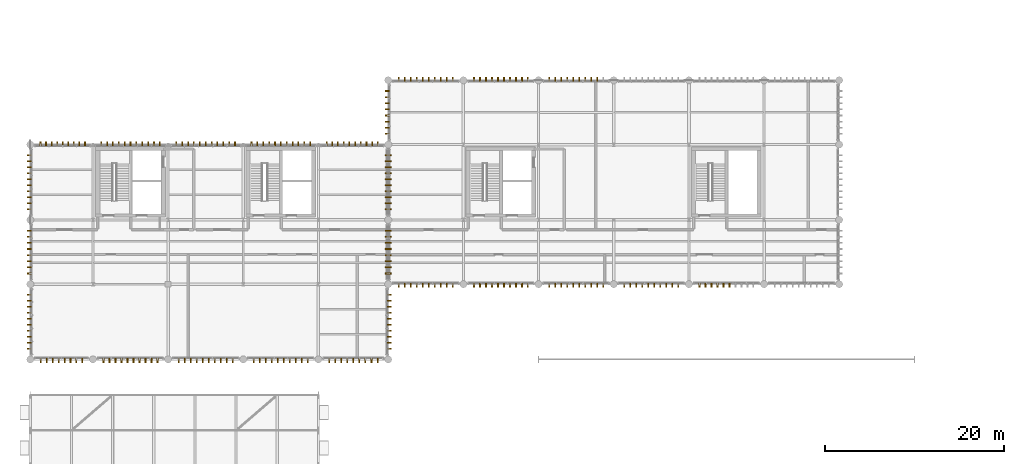
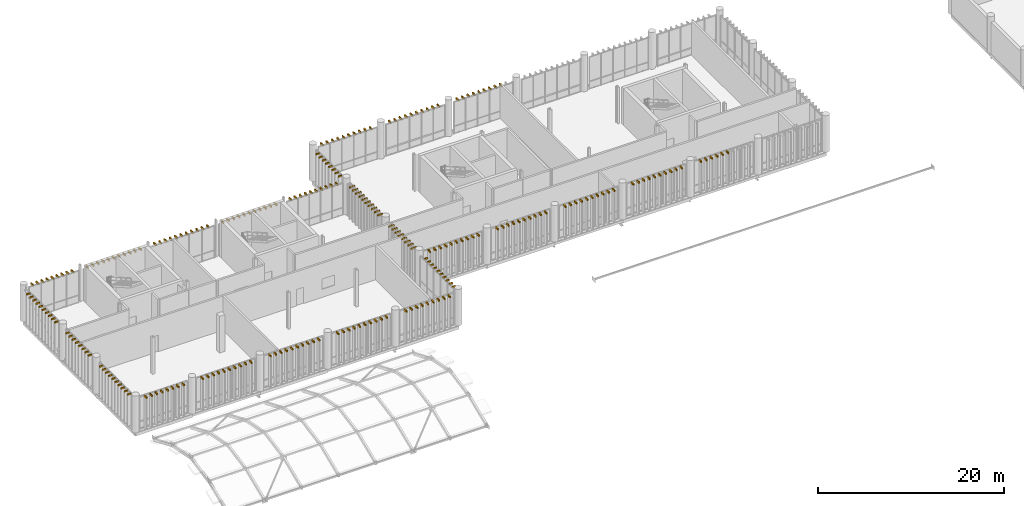
# One storey, part 92 of 94: 256 shading devices.
"""IFC4 building model written with IfcOpenShell, lengths in metres."""

from ifc_helpers import new_model, si_unit, direction, frame, origin_with_axes, origin_2d_with_axis, place, context, subcontext, project, spatial, rectangle, extrude, material, type_object, element, save


model = new_model("IFC4")

# Units and contexts
model_context = context("Model", 3, precision=1e-05, world=origin_with_axes(), true_north=direction((0.0, 1.0)))
body_context = subcontext(model_context, "Body", "Model", "MODEL_VIEW")
ifc_project = project(units=[si_unit("LENGTHUNIT", "METRE"), si_unit("AREAUNIT", "SQUARE_METRE"), si_unit("VOLUMEUNIT", "CUBIC_METRE"), si_unit("PLANEANGLEUNIT", "RADIAN"), si_unit("MASSUNIT", "GRAM", prefix="KILO"), si_unit("THERMODYNAMICTEMPERATUREUNIT", "KELVIN")], contexts=[model_context])

# Site, building, storey
site_placement = place(None, origin_with_axes())
site = spatial("IfcSite", under=ifc_project, at=site_placement, CompositionType="ELEMENT")
building_placement = place(site_placement, origin_with_axes())
building = spatial("IfcBuilding", under=site, at=building_placement, Name="Montbau Bow Law Courts", CompositionType="ELEMENT")
storey_placement = place(building_placement, frame((0.0, 0.0, 15.6), z_axis=(0.0, 0.0, 1.0), x_axis=(1.0, 0.0, 0.0)))
storey = spatial("IfcBuildingStorey", under=building, at=storey_placement, Name="L03", CompositionType="ELEMENT", Elevation=15.6)

# Shading devices
ifc_material_1 = material(Name="Freeze-Thaw Glazed Cream Ceramic Vertical Louvre", Category="masonry")
shading_device_type_1 = type_object("IfcShadingDeviceType", Name="SH-LVR-CRM", PredefinedType="USERDEFINED", material=ifc_material_1)
for number, where, z_axis, x_axis, name in (
    (1, (47.985, 38.89, 19.64), (0.0, 0.0, 1.0), (0.0, -1.0, 0.0), "LVR-L03-1559:shd_1559"),
    (2, (48.655, 38.89, 19.64), (0.0, 0.0, 1.0), (0.0, -1.0, 0.0), "LVR-L03-1560:shd_1560"),
    (3, (49.325, 38.89, 19.64), (0.0, 0.0, 1.0), (0.0, -1.0, 0.0), "LVR-L03-1561:shd_1561"),
    (4, (49.995, 38.89, 19.64), (0.0, 0.0, 1.0), (0.0, -1.0, 0.0), "LVR-L03-1562:shd_1562"),
    (5, (50.665, 38.89, 19.64), (0.0, 0.0, 1.0), (0.0, -1.0, 0.0), "LVR-L03-1563:shd_1563"),
    (6, (51.335, 38.89, 19.64), (0.0, 0.0, 1.0), (0.0, -1.0, 0.0), "LVR-L03-1564:shd_1564"),
    (7, (52.005, 38.89, 19.64), (0.0, 0.0, 1.0), (0.0, -1.0, 0.0), "LVR-L03-1565:shd_1565"),
    (8, (52.675, 38.89, 19.64), (0.0, 0.0, 1.0), (0.0, -1.0, 0.0), "LVR-L03-1566:shd_1566"),
    (9, (53.345, 38.89, 19.64), (0.0, 0.0, 1.0), (0.0, -1.0, 0.0), "LVR-L03-1567:shd_1567"),
    (10, (54.015, 38.89, 19.64), (0.0, 0.0, 1.0), (0.0, -1.0, 0.0), "LVR-L03-1568:shd_1568"),
    (11, (56.385, 38.89, 19.64), (0.0, 0.0, 1.0), (0.0, -1.0, 0.0), "LVR-L03-1569:shd_1569"),
    (12, (57.055, 38.89, 19.64), (0.0, 0.0, 1.0), (0.0, -1.0, 0.0), "LVR-L03-1570:shd_1570"),
    (13, (57.725, 38.89, 19.64), (0.0, 0.0, 1.0), (0.0, -1.0, 0.0), "LVR-L03-1571:shd_1571"),
    (14, (58.395, 38.89, 19.64), (0.0, 0.0, 1.0), (0.0, -1.0, 0.0), "LVR-L03-1572:shd_1572"),
    (15, (59.065, 38.89, 19.64), (0.0, 0.0, 1.0), (0.0, -1.0, 0.0), "LVR-L03-1573:shd_1573"),
    (16, (59.735, 38.89, 19.64), (0.0, 0.0, 1.0), (0.0, -1.0, 0.0), "LVR-L03-1574:shd_1574"),
    (17, (60.405, 38.89, 19.64), (0.0, 0.0, 1.0), (0.0, -1.0, 0.0), "LVR-L03-1575:shd_1575"),
    (18, (61.075, 38.89, 19.64), (0.0, 0.0, 1.0), (0.0, -1.0, 0.0), "LVR-L03-1576:shd_1576"),
    (19, (61.745, 38.89, 19.64), (0.0, 0.0, 1.0), (0.0, -1.0, 0.0), "LVR-L03-1577:shd_1577"),
    (20, (62.415, 38.89, 19.64), (0.0, 0.0, 1.0), (0.0, -1.0, 0.0), "LVR-L03-1578:shd_1578"),
    (21, (64.785, 38.89, 19.64), (0.0, 0.0, 1.0), (0.0, -1.0, 0.0), "LVR-L03-1579:shd_1579"),
    (22, (65.455, 38.89, 19.64), (0.0, 0.0, 1.0), (0.0, -1.0, 0.0), "LVR-L03-1580:shd_1580"),
    (23, (66.125, 38.89, 19.64), (0.0, 0.0, 1.0), (0.0, -1.0, 0.0), "LVR-L03-1581:shd_1581"),
    (24, (66.795, 38.89, 19.64), (0.0, 0.0, 1.0), (0.0, -1.0, 0.0), "LVR-L03-1582:shd_1582"),
    (25, (67.465, 38.89, 19.64), (0.0, 0.0, 1.0), (0.0, -1.0, 0.0), "LVR-L03-1583:shd_1583"),
    (26, (68.135, 38.89, 19.64), (0.0, 0.0, 1.0), (0.0, -1.0, 0.0), "LVR-L03-1584:shd_1584"),
    (27, (68.805, 38.89, 19.64), (0.0, 0.0, 1.0), (0.0, -1.0, 0.0), "LVR-L03-1585:shd_1585"),
    (28, (69.475, 38.89, 19.64), (0.0, 0.0, 1.0), (0.0, -1.0, 0.0), "LVR-L03-1586:shd_1586"),
    (29, (70.145, 38.89, 19.64), (0.0, 0.0, 1.0), (0.0, -1.0, 0.0), "LVR-L03-1587:shd_1587"),
    (30, (70.815, 38.89, 19.64), (0.0, 0.0, 1.0), (0.0, -1.0, 0.0), "LVR-L03-1588:shd_1588"),
    (31, (73.185, 38.89, 19.64), (0.0, 0.0, 1.0), (0.0, -1.0, 0.0), "LVR-L03-1589:shd_1589"),
    (32, (73.855, 38.89, 19.64), (0.0, 0.0, 1.0), (0.0, -1.0, 0.0), "LVR-L03-1590:shd_1590"),
    (33, (74.525, 38.89, 19.64), (0.0, 0.0, 1.0), (0.0, -1.0, 0.0), "LVR-L03-1591:shd_1591"),
    (34, (75.195, 38.89, 19.64), (0.0, 0.0, 1.0), (0.0, -1.0, 0.0), "LVR-L03-1592:shd_1592"),
    (35, (75.865, 38.89, 19.64), (0.0, 0.0, 1.0), (0.0, -1.0, 0.0), "LVR-L03-1593:shd_1593"),
    (36, (76.535, 38.89, 19.64), (0.0, 0.0, 1.0), (0.0, -1.0, 0.0), "LVR-L03-1594:shd_1594"),
    (37, (77.205, 38.89, 19.64), (0.0, 0.0, 1.0), (0.0, -1.0, 0.0), "LVR-L03-1595:shd_1595"),
    (38, (77.875, 38.89, 19.64), (0.0, 0.0, 1.0), (0.0, -1.0, 0.0), "LVR-L03-1596:shd_1596"),
    (39, (78.545, 38.89, 19.64), (0.0, 0.0, 1.0), (0.0, -1.0, 0.0), "LVR-L03-1597:shd_1597"),
    (40, (79.215, 38.89, 19.64), (0.0, 0.0, 1.0), (0.0, -1.0, 0.0), "LVR-L03-1598:shd_1598"),
    (41, (81.585, 38.89, 19.64), (0.0, 0.0, 1.0), (0.0, -1.0, 0.0), "LVR-L03-1599:shd_1599"),
    (42, (82.255, 38.89, 19.64), (0.0, 0.0, 1.0), (0.0, -1.0, 0.0), "LVR-L03-1600:shd_1600"),
    (43, (82.925, 38.89, 19.64), (0.0, 0.0, 1.0), (0.0, -1.0, 0.0), "LVR-L03-1601:shd_1601"),
    (44, (83.595, 38.89, 19.64), (0.0, 0.0, 1.0), (0.0, -1.0, 0.0), "LVR-L03-1602:shd_1602"),
    (45, (84.265, 38.89, 19.64), (0.0, 0.0, 1.0), (0.0, -1.0, 0.0), "LVR-L03-1603:shd_1603"),
    (46, (84.935, 38.89, 19.64), (0.0, 0.0, 1.0), (0.0, -1.0, 0.0), "LVR-L03-1604:shd_1604"),
    (47, (47.985, 61.91, 19.64), (0.0, 0.0, 1.0), (0.0, 1.0, 0.0), "LVR-L03-1619:shd_1619"),
    (48, (48.655, 61.91, 19.64), (0.0, 0.0, 1.0), (0.0, 1.0, 0.0), "LVR-L03-1620:shd_1620"),
    (49, (49.325, 61.91, 19.64), (0.0, 0.0, 1.0), (0.0, 1.0, 0.0), "LVR-L03-1621:shd_1621"),
    (50, (49.995, 61.91, 19.64), (0.0, 0.0, 1.0), (0.0, 1.0, 0.0), "LVR-L03-1622:shd_1622"),
    (51, (50.665, 61.91, 19.64), (0.0, 0.0, 1.0), (0.0, 1.0, 0.0), "LVR-L03-1623:shd_1623"),
    (52, (51.335, 61.91, 19.64), (0.0, 0.0, 1.0), (0.0, 1.0, 0.0), "LVR-L03-1624:shd_1624"),
    (53, (52.005, 61.91, 19.64), (0.0, 0.0, 1.0), (0.0, 1.0, 0.0), "LVR-L03-1625:shd_1625"),
    (54, (52.675, 61.91, 19.64), (0.0, 0.0, 1.0), (0.0, 1.0, 0.0), "LVR-L03-1626:shd_1626"),
    (55, (53.345, 61.91, 19.64), (0.0, 0.0, 1.0), (0.0, 1.0, 0.0), "LVR-L03-1627:shd_1627"),
    (56, (54.015, 61.91, 19.64), (0.0, 0.0, 1.0), (0.0, 1.0, 0.0), "LVR-L03-1628:shd_1628"),
    (57, (56.385, 61.91, 19.64), (0.0, 0.0, 1.0), (0.0, 1.0, 0.0), "LVR-L03-1629:shd_1629"),
    (58, (57.055, 61.91, 19.64), (0.0, 0.0, 1.0), (0.0, 1.0, 0.0), "LVR-L03-1630:shd_1630"),
    (59, (57.725, 61.91, 19.64), (0.0, 0.0, 1.0), (0.0, 1.0, 0.0), "LVR-L03-1631:shd_1631"),
    (60, (58.395, 61.91, 19.64), (0.0, 0.0, 1.0), (0.0, 1.0, 0.0), "LVR-L03-1632:shd_1632"),
    (61, (59.065, 61.91, 19.64), (0.0, 0.0, 1.0), (0.0, 1.0, 0.0), "LVR-L03-1633:shd_1633"),
    (62, (59.735, 61.91, 19.64), (0.0, 0.0, 1.0), (0.0, 1.0, 0.0), "LVR-L03-1634:shd_1634"),
    (63, (60.405, 61.91, 19.64), (0.0, 0.0, 1.0), (0.0, 1.0, 0.0), "LVR-L03-1635:shd_1635"),
    (64, (61.075, 61.91, 19.64), (0.0, 0.0, 1.0), (0.0, 1.0, 0.0), "LVR-L03-1636:shd_1636"),
    (65, (61.745, 61.91, 19.64), (0.0, 0.0, 1.0), (0.0, 1.0, 0.0), "LVR-L03-1637:shd_1637"),
    (66, (62.415, 61.91, 19.64), (0.0, 0.0, 1.0), (0.0, 1.0, 0.0), "LVR-L03-1638:shd_1638"),
    (67, (64.785, 61.91, 19.64), (0.0, 0.0, 1.0), (0.0, 1.0, 0.0), "LVR-L03-1639:shd_1639"),
    (68, (65.455, 61.91, 19.64), (0.0, 0.0, 1.0), (0.0, 1.0, 0.0), "LVR-L03-1640:shd_1640"),
    (69, (66.125, 61.91, 19.64), (0.0, 0.0, 1.0), (0.0, 1.0, 0.0), "LVR-L03-1641:shd_1641"),
    (70, (66.795, 61.91, 19.64), (0.0, 0.0, 1.0), (0.0, 1.0, 0.0), "LVR-L03-1642:shd_1642"),
    (71, (67.465, 61.91, 19.64), (0.0, 0.0, 1.0), (0.0, 1.0, 0.0), "LVR-L03-1643:shd_1643"),
    (72, (68.135, 61.91, 19.64), (0.0, 0.0, 1.0), (0.0, 1.0, 0.0), "LVR-L03-1644:shd_1644"),
    (73, (68.805, 61.91, 19.64), (0.0, 0.0, 1.0), (0.0, 1.0, 0.0), "LVR-L03-1645:shd_1645"),
    (74, (69.475, 61.91, 19.64), (0.0, 0.0, 1.0), (0.0, 1.0, 0.0), "LVR-L03-1646:shd_1646"),
    (75, (70.145, 61.91, 19.64), (0.0, 0.0, 1.0), (0.0, 1.0, 0.0), "LVR-L03-1647:shd_1647"),
    (76, (46.69, 40.201, 19.64), (0.0, 0.0, 1.0), (-1.0, 0.0, 0.0), "LVR-L03-1679:shd_1679"),
    (77, (46.69, 40.886, 19.64), (0.0, 0.0, 1.0), (-1.0, 0.0, 0.0), "LVR-L03-1680:shd_1680"),
    (78, (46.69, 41.572, 19.64), (0.0, 0.0, 1.0), (-1.0, 0.0, 0.0), "LVR-L03-1681:shd_1681"),
    (79, (46.69, 42.257, 19.64), (0.0, 0.0, 1.0), (-1.0, 0.0, 0.0), "LVR-L03-1682:shd_1682"),
    (80, (46.69, 42.943, 19.64), (0.0, 0.0, 1.0), (-1.0, 0.0, 0.0), "LVR-L03-1683:shd_1683"),
    (81, (46.69, 43.628, 19.64), (0.0, 0.0, 1.0), (-1.0, 0.0, 0.0), "LVR-L03-1684:shd_1684"),
    (82, (46.69, 44.314, 19.64), (0.0, 0.0, 1.0), (-1.0, 0.0, 0.0), "LVR-L03-1685:shd_1685"),
    (83, (46.69, 44.999, 19.64), (0.0, 0.0, 1.0), (-1.0, 0.0, 0.0), "LVR-L03-1686:shd_1686"),
    (84, (46.69, 47.385, 19.64), (0.0, 0.0, 1.0), (-1.0, 0.0, 0.0), "LVR-L03-1687:shd_1687"),
    (85, (46.69, 48.055, 19.64), (0.0, 0.0, 1.0), (-1.0, 0.0, 0.0), "LVR-L03-1688:shd_1688"),
    (86, (46.69, 48.725, 19.64), (0.0, 0.0, 1.0), (-1.0, 0.0, 0.0), "LVR-L03-1689:shd_1689"),
    (87, (46.69, 49.395, 19.64), (0.0, 0.0, 1.0), (-1.0, 0.0, 0.0), "LVR-L03-1690:shd_1690"),
    (88, (46.69, 50.065, 19.64), (0.0, 0.0, 1.0), (-1.0, 0.0, 0.0), "LVR-L03-1691:shd_1691"),
    (89, (46.69, 50.735, 19.64), (0.0, 0.0, 1.0), (-1.0, 0.0, 0.0), "LVR-L03-1692:shd_1692"),
    (90, (46.69, 51.405, 19.64), (0.0, 0.0, 1.0), (-1.0, 0.0, 0.0), "LVR-L03-1693:shd_1693"),
    (91, (46.69, 52.075, 19.64), (0.0, 0.0, 1.0), (-1.0, 0.0, 0.0), "LVR-L03-1694:shd_1694"),
    (92, (46.69, 52.745, 19.64), (0.0, 0.0, 1.0), (-1.0, 0.0, 0.0), "LVR-L03-1695:shd_1695"),
    (93, (46.69, 53.415, 19.64), (0.0, 0.0, 1.0), (-1.0, 0.0, 0.0), "LVR-L03-1696:shd_1696"),
    (94, (46.69, 55.801, 19.64), (0.0, 0.0, 1.0), (-1.0, 0.0, 0.0), "LVR-L03-1697:shd_1697"),
    (95, (46.69, 56.486, 19.64), (0.0, 0.0, 1.0), (-1.0, 0.0, 0.0), "LVR-L03-1698:shd_1698"),
    (96, (46.69, 57.172, 19.64), (0.0, 0.0, 1.0), (-1.0, 0.0, 0.0), "LVR-L03-1699:shd_1699"),
    (97, (46.69, 57.857, 19.64), (0.0, 0.0, 1.0), (-1.0, 0.0, 0.0), "LVR-L03-1700:shd_1700"),
    (98, (46.69, 58.543, 19.64), (0.0, 0.0, 1.0), (-1.0, 0.0, 0.0), "LVR-L03-1701:shd_1701"),
    (99, (46.69, 59.228, 19.64), (0.0, 0.0, 1.0), (-1.0, 0.0, 0.0), "LVR-L03-1702:shd_1702"),
    (100, (46.69, 59.914, 19.64), (0.0, 0.0, 1.0), (-1.0, 0.0, 0.0), "LVR-L03-1703:shd_1703"),
    (101, (46.69, 60.599, 19.64), (0.0, 0.0, 1.0), (-1.0, 0.0, 0.0), "LVR-L03-1704:shd_1704"),
):
    element("IfcShadingDevice", number, at=place(None, frame(where, z_axis=z_axis, x_axis=x_axis)), inside=storey, type_object=shading_device_type_1, Name=name, ObjectType="LOUVRE", PredefinedType="USERDEFINED", context=body_context, shape_type="SweptSolid", body=[
        extrude(rectangle(XDim=0.48, YDim=0.12, at=origin_2d_with_axis()), origin_with_axes(), (0.0, 0.0, 1.0), 0.18),
    ])
ifc_material_2 = material(Name="Freeze-Thaw Glazed Terracotta-Red Ceramic Vertical Louvre", Category="masonry")
shading_device_type_2 = type_object("IfcShadingDeviceType", Name="SH-LVR-RED", PredefinedType="USERDEFINED", material=ifc_material_2)
for number, where, z_axis, x_axis, name in (
    (102, (7.978, 30.49, 19.64), (0.0, 0.0, 1.0), (0.0, -1.0, 0.0), "LVR-L03-0453:shd_0453"),
    (103, (8.642, 30.49, 19.64), (0.0, 0.0, 1.0), (0.0, -1.0, 0.0), "LVR-L03-0454:shd_0454"),
    (104, (9.305, 30.49, 19.64), (0.0, 0.0, 1.0), (0.0, -1.0, 0.0), "LVR-L03-0455:shd_0455"),
    (105, (9.968, 30.49, 19.64), (0.0, 0.0, 1.0), (0.0, -1.0, 0.0), "LVR-L03-0456:shd_0456"),
    (106, (10.632, 30.49, 19.64), (0.0, 0.0, 1.0), (0.0, -1.0, 0.0), "LVR-L03-0457:shd_0457"),
    (107, (11.295, 30.49, 19.64), (0.0, 0.0, 1.0), (0.0, -1.0, 0.0), "LVR-L03-0458:shd_0458"),
    (108, (11.958, 30.49, 19.64), (0.0, 0.0, 1.0), (0.0, -1.0, 0.0), "LVR-L03-0459:shd_0459"),
    (109, (12.622, 30.49, 19.64), (0.0, 0.0, 1.0), (0.0, -1.0, 0.0), "LVR-L03-0460:shd_0460"),
    (110, (14.985, 30.49, 19.64), (0.0, 0.0, 1.0), (0.0, -1.0, 0.0), "LVR-L03-0461:shd_0461"),
    (111, (15.655, 30.49, 19.64), (0.0, 0.0, 1.0), (0.0, -1.0, 0.0), "LVR-L03-0462:shd_0462"),
    (112, (16.325, 30.49, 19.64), (0.0, 0.0, 1.0), (0.0, -1.0, 0.0), "LVR-L03-0463:shd_0463"),
    (113, (16.995, 30.49, 19.64), (0.0, 0.0, 1.0), (0.0, -1.0, 0.0), "LVR-L03-0464:shd_0464"),
    (114, (17.665, 30.49, 19.64), (0.0, 0.0, 1.0), (0.0, -1.0, 0.0), "LVR-L03-0465:shd_0465"),
    (115, (18.335, 30.49, 19.64), (0.0, 0.0, 1.0), (0.0, -1.0, 0.0), "LVR-L03-0466:shd_0466"),
    (116, (19.005, 30.49, 19.64), (0.0, 0.0, 1.0), (0.0, -1.0, 0.0), "LVR-L03-0467:shd_0467"),
    (117, (19.675, 30.49, 19.64), (0.0, 0.0, 1.0), (0.0, -1.0, 0.0), "LVR-L03-0468:shd_0468"),
    (118, (20.345, 30.49, 19.64), (0.0, 0.0, 1.0), (0.0, -1.0, 0.0), "LVR-L03-0469:shd_0469"),
    (119, (21.015, 30.49, 19.64), (0.0, 0.0, 1.0), (0.0, -1.0, 0.0), "LVR-L03-0470:shd_0470"),
    (120, (23.385, 30.49, 19.64), (0.0, 0.0, 1.0), (0.0, -1.0, 0.0), "LVR-L03-0471:shd_0471"),
    (121, (24.055, 30.49, 19.64), (0.0, 0.0, 1.0), (0.0, -1.0, 0.0), "LVR-L03-0472:shd_0472"),
    (122, (24.725, 30.49, 19.64), (0.0, 0.0, 1.0), (0.0, -1.0, 0.0), "LVR-L03-0473:shd_0473"),
    (123, (25.395, 30.49, 19.64), (0.0, 0.0, 1.0), (0.0, -1.0, 0.0), "LVR-L03-0474:shd_0474"),
    (124, (26.065, 30.49, 19.64), (0.0, 0.0, 1.0), (0.0, -1.0, 0.0), "LVR-L03-0475:shd_0475"),
    (125, (26.735, 30.49, 19.64), (0.0, 0.0, 1.0), (0.0, -1.0, 0.0), "LVR-L03-0476:shd_0476"),
    (126, (27.405, 30.49, 19.64), (0.0, 0.0, 1.0), (0.0, -1.0, 0.0), "LVR-L03-0477:shd_0477"),
    (127, (28.075, 30.49, 19.64), (0.0, 0.0, 1.0), (0.0, -1.0, 0.0), "LVR-L03-0478:shd_0478"),
    (128, (28.745, 30.49, 19.64), (0.0, 0.0, 1.0), (0.0, -1.0, 0.0), "LVR-L03-0479:shd_0479"),
    (129, (29.415, 30.49, 19.64), (0.0, 0.0, 1.0), (0.0, -1.0, 0.0), "LVR-L03-0480:shd_0480"),
    (130, (31.785, 30.49, 19.64), (0.0, 0.0, 1.0), (0.0, -1.0, 0.0), "LVR-L03-0481:shd_0481"),
    (131, (32.455, 30.49, 19.64), (0.0, 0.0, 1.0), (0.0, -1.0, 0.0), "LVR-L03-0482:shd_0482"),
    (132, (33.125, 30.49, 19.64), (0.0, 0.0, 1.0), (0.0, -1.0, 0.0), "LVR-L03-0483:shd_0483"),
    (133, (33.795, 30.49, 19.64), (0.0, 0.0, 1.0), (0.0, -1.0, 0.0), "LVR-L03-0484:shd_0484"),
    (134, (34.465, 30.49, 19.64), (0.0, 0.0, 1.0), (0.0, -1.0, 0.0), "LVR-L03-0485:shd_0485"),
    (135, (35.135, 30.49, 19.64), (0.0, 0.0, 1.0), (0.0, -1.0, 0.0), "LVR-L03-0486:shd_0486"),
    (136, (35.805, 30.49, 19.64), (0.0, 0.0, 1.0), (0.0, -1.0, 0.0), "LVR-L03-0487:shd_0487"),
    (137, (36.475, 30.49, 19.64), (0.0, 0.0, 1.0), (0.0, -1.0, 0.0), "LVR-L03-0488:shd_0488"),
    (138, (37.145, 30.49, 19.64), (0.0, 0.0, 1.0), (0.0, -1.0, 0.0), "LVR-L03-0489:shd_0489"),
    (139, (37.815, 30.49, 19.64), (0.0, 0.0, 1.0), (0.0, -1.0, 0.0), "LVR-L03-0490:shd_0490"),
    (140, (40.192, 30.49, 19.64), (0.0, 0.0, 1.0), (0.0, -1.0, 0.0), "LVR-L03-0491:shd_0491"),
    (141, (40.869, 30.49, 19.64), (0.0, 0.0, 1.0), (0.0, -1.0, 0.0), "LVR-L03-0492:shd_0492"),
    (142, (41.546, 30.49, 19.64), (0.0, 0.0, 1.0), (0.0, -1.0, 0.0), "LVR-L03-0493:shd_0493"),
    (143, (42.223, 30.49, 19.64), (0.0, 0.0, 1.0), (0.0, -1.0, 0.0), "LVR-L03-0494:shd_0494"),
    (144, (42.9, 30.49, 19.64), (0.0, 0.0, 1.0), (0.0, -1.0, 0.0), "LVR-L03-0495:shd_0495"),
    (145, (43.577, 30.49, 19.64), (0.0, 0.0, 1.0), (0.0, -1.0, 0.0), "LVR-L03-0496:shd_0496"),
    (146, (44.254, 30.49, 19.64), (0.0, 0.0, 1.0), (0.0, -1.0, 0.0), "LVR-L03-0497:shd_0497"),
    (147, (44.931, 30.49, 19.64), (0.0, 0.0, 1.0), (0.0, -1.0, 0.0), "LVR-L03-0498:shd_0498"),
    (148, (45.608, 30.49, 19.64), (0.0, 0.0, 1.0), (0.0, -1.0, 0.0), "LVR-L03-0499:shd_0499"),
    (149, (7.937, 54.71, 19.64), (0.0, 0.0, 1.0), (0.0, 1.0, 0.0), "LVR-L03-0500:shd_0500"),
    (150, (8.559, 54.71, 19.64), (0.0, 0.0, 1.0), (0.0, 1.0, 0.0), "LVR-L03-0501:shd_0501"),
    (151, (9.18, 54.71, 19.64), (0.0, 0.0, 1.0), (0.0, 1.0, 0.0), "LVR-L03-0502:shd_0502"),
    (152, (9.802, 54.71, 19.64), (0.0, 0.0, 1.0), (0.0, 1.0, 0.0), "LVR-L03-0503:shd_0503"),
    (153, (10.424, 54.71, 19.64), (0.0, 0.0, 1.0), (0.0, 1.0, 0.0), "LVR-L03-0504:shd_0504"),
    (154, (11.046, 54.71, 19.64), (0.0, 0.0, 1.0), (0.0, 1.0, 0.0), "LVR-L03-0505:shd_0505"),
    (155, (11.668, 54.71, 19.64), (0.0, 0.0, 1.0), (0.0, 1.0, 0.0), "LVR-L03-0506:shd_0506"),
    (156, (12.289, 54.71, 19.64), (0.0, 0.0, 1.0), (0.0, 1.0, 0.0), "LVR-L03-0507:shd_0507"),
    (157, (12.911, 54.71, 19.64), (0.0, 0.0, 1.0), (0.0, 1.0, 0.0), "LVR-L03-0508:shd_0508"),
    (158, (14.723, 54.71, 19.64), (0.0, 0.0, 1.0), (0.0, 1.0, 0.0), "LVR-L03-0509:shd_0509"),
    (159, (15.379, 54.71, 19.64), (0.0, 0.0, 1.0), (0.0, 1.0, 0.0), "LVR-L03-0510:shd_0510"),
    (160, (16.034, 54.71, 19.64), (0.0, 0.0, 1.0), (0.0, 1.0, 0.0), "LVR-L03-0511:shd_0511"),
    (161, (16.69, 54.71, 19.64), (0.0, 0.0, 1.0), (0.0, 1.0, 0.0), "LVR-L03-0512:shd_0512"),
    (162, (17.345, 54.71, 19.64), (0.0, 0.0, 1.0), (0.0, 1.0, 0.0), "LVR-L03-0513:shd_0513"),
    (163, (18.001, 54.71, 19.64), (0.0, 0.0, 1.0), (0.0, 1.0, 0.0), "LVR-L03-0514:shd_0514"),
    (164, (18.656, 54.71, 19.64), (0.0, 0.0, 1.0), (0.0, 1.0, 0.0), "LVR-L03-0515:shd_0515"),
    (165, (19.311, 54.71, 19.64), (0.0, 0.0, 1.0), (0.0, 1.0, 0.0), "LVR-L03-0516:shd_0516"),
    (166, (19.967, 54.71, 19.64), (0.0, 0.0, 1.0), (0.0, 1.0, 0.0), "LVR-L03-0517:shd_0517"),
    (167, (20.622, 54.71, 19.64), (0.0, 0.0, 1.0), (0.0, 1.0, 0.0), "LVR-L03-0518:shd_0518"),
    (168, (21.278, 54.71, 19.64), (0.0, 0.0, 1.0), (0.0, 1.0, 0.0), "LVR-L03-0519:shd_0519"),
    (169, (23.122, 54.71, 19.64), (0.0, 0.0, 1.0), (0.0, 1.0, 0.0), "LVR-L03-0520:shd_0520"),
    (170, (23.778, 54.71, 19.64), (0.0, 0.0, 1.0), (0.0, 1.0, 0.0), "LVR-L03-0521:shd_0521"),
    (171, (24.433, 54.71, 19.64), (0.0, 0.0, 1.0), (0.0, 1.0, 0.0), "LVR-L03-0522:shd_0522"),
    (172, (25.089, 54.71, 19.64), (0.0, 0.0, 1.0), (0.0, 1.0, 0.0), "LVR-L03-0523:shd_0523"),
    (173, (25.744, 54.71, 19.64), (0.0, 0.0, 1.0), (0.0, 1.0, 0.0), "LVR-L03-0524:shd_0524"),
    (174, (26.4, 54.71, 19.64), (0.0, 0.0, 1.0), (0.0, 1.0, 0.0), "LVR-L03-0525:shd_0525"),
    (175, (27.055, 54.71, 19.64), (0.0, 0.0, 1.0), (0.0, 1.0, 0.0), "LVR-L03-0526:shd_0526"),
    (176, (27.711, 54.71, 19.64), (0.0, 0.0, 1.0), (0.0, 1.0, 0.0), "LVR-L03-0527:shd_0527"),
    (177, (28.366, 54.71, 19.64), (0.0, 0.0, 1.0), (0.0, 1.0, 0.0), "LVR-L03-0528:shd_0528"),
    (178, (29.022, 54.71, 19.64), (0.0, 0.0, 1.0), (0.0, 1.0, 0.0), "LVR-L03-0529:shd_0529"),
    (179, (29.677, 54.71, 19.64), (0.0, 0.0, 1.0), (0.0, 1.0, 0.0), "LVR-L03-0530:shd_0530"),
    (180, (31.522, 54.71, 19.64), (0.0, 0.0, 1.0), (0.0, 1.0, 0.0), "LVR-L03-0531:shd_0531"),
    (181, (32.178, 54.71, 19.64), (0.0, 0.0, 1.0), (0.0, 1.0, 0.0), "LVR-L03-0532:shd_0532"),
    (182, (32.833, 54.71, 19.64), (0.0, 0.0, 1.0), (0.0, 1.0, 0.0), "LVR-L03-0533:shd_0533"),
    (183, (33.489, 54.71, 19.64), (0.0, 0.0, 1.0), (0.0, 1.0, 0.0), "LVR-L03-0534:shd_0534"),
    (184, (34.144, 54.71, 19.64), (0.0, 0.0, 1.0), (0.0, 1.0, 0.0), "LVR-L03-0535:shd_0535"),
    (185, (34.799, 54.71, 19.64), (0.0, 0.0, 1.0), (0.0, 1.0, 0.0), "LVR-L03-0536:shd_0536"),
    (186, (35.455, 54.71, 19.64), (0.0, 0.0, 1.0), (0.0, 1.0, 0.0), "LVR-L03-0537:shd_0537"),
    (187, (36.11, 54.71, 19.64), (0.0, 0.0, 1.0), (0.0, 1.0, 0.0), "LVR-L03-0538:shd_0538"),
    (188, (36.766, 54.71, 19.64), (0.0, 0.0, 1.0), (0.0, 1.0, 0.0), "LVR-L03-0539:shd_0539"),
    (189, (37.421, 54.71, 19.64), (0.0, 0.0, 1.0), (0.0, 1.0, 0.0), "LVR-L03-0540:shd_0540"),
    (190, (38.077, 54.71, 19.64), (0.0, 0.0, 1.0), (0.0, 1.0, 0.0), "LVR-L03-0541:shd_0541"),
    (191, (39.906, 54.71, 19.64), (0.0, 0.0, 1.0), (0.0, 1.0, 0.0), "LVR-L03-0542:shd_0542"),
    (192, (40.544, 54.71, 19.64), (0.0, 0.0, 1.0), (0.0, 1.0, 0.0), "LVR-L03-0543:shd_0543"),
    (193, (41.182, 54.71, 19.64), (0.0, 0.0, 1.0), (0.0, 1.0, 0.0), "LVR-L03-0544:shd_0544"),
    (194, (41.82, 54.71, 19.64), (0.0, 0.0, 1.0), (0.0, 1.0, 0.0), "LVR-L03-0545:shd_0545"),
    (195, (42.458, 54.71, 19.64), (0.0, 0.0, 1.0), (0.0, 1.0, 0.0), "LVR-L03-0546:shd_0546"),
    (196, (43.095, 54.71, 19.64), (0.0, 0.0, 1.0), (0.0, 1.0, 0.0), "LVR-L03-0547:shd_0547"),
    (197, (43.733, 54.71, 19.64), (0.0, 0.0, 1.0), (0.0, 1.0, 0.0), "LVR-L03-0548:shd_0548"),
    (198, (44.371, 54.71, 19.64), (0.0, 0.0, 1.0), (0.0, 1.0, 0.0), "LVR-L03-0549:shd_0549"),
    (199, (45.009, 54.71, 19.64), (0.0, 0.0, 1.0), (0.0, 1.0, 0.0), "LVR-L03-0550:shd_0550"),
    (200, (45.647, 54.71, 19.64), (0.0, 0.0, 1.0), (0.0, 1.0, 0.0), "LVR-L03-0551:shd_0551"),
    (201, (6.69, 31.785, 19.64), (0.0, 0.0, 1.0), (-1.0, 0.0, 0.0), "LVR-L03-0552:shd_0552"),
    (202, (6.69, 32.455, 19.64), (0.0, 0.0, 1.0), (-1.0, 0.0, 0.0), "LVR-L03-0553:shd_0553"),
    (203, (6.69, 33.125, 19.64), (0.0, 0.0, 1.0), (-1.0, 0.0, 0.0), "LVR-L03-0554:shd_0554"),
    (204, (6.69, 33.795, 19.64), (0.0, 0.0, 1.0), (-1.0, 0.0, 0.0), "LVR-L03-0555:shd_0555"),
    (205, (6.69, 34.465, 19.64), (0.0, 0.0, 1.0), (-1.0, 0.0, 0.0), "LVR-L03-0556:shd_0556"),
    (206, (6.69, 35.135, 19.64), (0.0, 0.0, 1.0), (-1.0, 0.0, 0.0), "LVR-L03-0557:shd_0557"),
    (207, (6.69, 35.805, 19.64), (0.0, 0.0, 1.0), (-1.0, 0.0, 0.0), "LVR-L03-0558:shd_0558"),
    (208, (6.69, 36.475, 19.64), (0.0, 0.0, 1.0), (-1.0, 0.0, 0.0), "LVR-L03-0559:shd_0559"),
    (209, (6.69, 37.145, 19.64), (0.0, 0.0, 1.0), (-1.0, 0.0, 0.0), "LVR-L03-0560:shd_0560"),
    (210, (6.69, 37.815, 19.64), (0.0, 0.0, 1.0), (-1.0, 0.0, 0.0), "LVR-L03-0561:shd_0561"),
    (211, (6.69, 40.201, 19.64), (0.0, 0.0, 1.0), (-1.0, 0.0, 0.0), "LVR-L03-0562:shd_0562"),
    (212, (6.69, 40.886, 19.64), (0.0, 0.0, 1.0), (-1.0, 0.0, 0.0), "LVR-L03-0563:shd_0563"),
    (213, (6.69, 41.572, 19.64), (0.0, 0.0, 1.0), (-1.0, 0.0, 0.0), "LVR-L03-0564:shd_0564"),
    (214, (6.69, 42.257, 19.64), (0.0, 0.0, 1.0), (-1.0, 0.0, 0.0), "LVR-L03-0565:shd_0565"),
    (215, (6.69, 42.943, 19.64), (0.0, 0.0, 1.0), (-1.0, 0.0, 0.0), "LVR-L03-0566:shd_0566"),
    (216, (6.69, 43.628, 19.64), (0.0, 0.0, 1.0), (-1.0, 0.0, 0.0), "LVR-L03-0567:shd_0567"),
    (217, (6.69, 44.314, 19.64), (0.0, 0.0, 1.0), (-1.0, 0.0, 0.0), "LVR-L03-0568:shd_0568"),
    (218, (6.69, 44.999, 19.64), (0.0, 0.0, 1.0), (-1.0, 0.0, 0.0), "LVR-L03-0569:shd_0569"),
    (219, (6.69, 47.385, 19.64), (0.0, 0.0, 1.0), (-1.0, 0.0, 0.0), "LVR-L03-0570:shd_0570"),
    (220, (6.69, 48.055, 19.64), (0.0, 0.0, 1.0), (-1.0, 0.0, 0.0), "LVR-L03-0571:shd_0571"),
    (221, (6.69, 48.725, 19.64), (0.0, 0.0, 1.0), (-1.0, 0.0, 0.0), "LVR-L03-0572:shd_0572"),
    (222, (6.69, 49.395, 19.64), (0.0, 0.0, 1.0), (-1.0, 0.0, 0.0), "LVR-L03-0573:shd_0573"),
    (223, (6.69, 50.065, 19.64), (0.0, 0.0, 1.0), (-1.0, 0.0, 0.0), "LVR-L03-0574:shd_0574"),
    (224, (6.69, 50.735, 19.64), (0.0, 0.0, 1.0), (-1.0, 0.0, 0.0), "LVR-L03-0575:shd_0575"),
    (225, (6.69, 51.405, 19.64), (0.0, 0.0, 1.0), (-1.0, 0.0, 0.0), "LVR-L03-0576:shd_0576"),
    (226, (6.69, 52.075, 19.64), (0.0, 0.0, 1.0), (-1.0, 0.0, 0.0), "LVR-L03-0577:shd_0577"),
    (227, (6.69, 52.745, 19.64), (0.0, 0.0, 1.0), (-1.0, 0.0, 0.0), "LVR-L03-0578:shd_0578"),
    (228, (6.69, 53.415, 19.64), (0.0, 0.0, 1.0), (-1.0, 0.0, 0.0), "LVR-L03-0579:shd_0579"),
    (229, (46.91, 31.785, 19.64), (0.0, 0.0, 1.0), (1.0, 0.0, 0.0), "LVR-L03-0580:shd_0580"),
    (230, (46.91, 32.455, 19.64), (0.0, 0.0, 1.0), (1.0, 0.0, 0.0), "LVR-L03-0581:shd_0581"),
    (231, (46.91, 33.125, 19.64), (0.0, 0.0, 1.0), (1.0, 0.0, 0.0), "LVR-L03-0582:shd_0582"),
    (232, (46.91, 33.795, 19.64), (0.0, 0.0, 1.0), (1.0, 0.0, 0.0), "LVR-L03-0583:shd_0583"),
    (233, (46.91, 34.465, 19.64), (0.0, 0.0, 1.0), (1.0, 0.0, 0.0), "LVR-L03-0584:shd_0584"),
    (234, (46.91, 35.135, 19.64), (0.0, 0.0, 1.0), (1.0, 0.0, 0.0), "LVR-L03-0585:shd_0585"),
    (235, (46.91, 35.805, 19.64), (0.0, 0.0, 1.0), (1.0, 0.0, 0.0), "LVR-L03-0586:shd_0586"),
    (236, (46.91, 36.475, 19.64), (0.0, 0.0, 1.0), (1.0, 0.0, 0.0), "LVR-L03-0587:shd_0587"),
    (237, (46.91, 37.145, 19.64), (0.0, 0.0, 1.0), (1.0, 0.0, 0.0), "LVR-L03-0588:shd_0588"),
    (238, (46.91, 37.815, 19.64), (0.0, 0.0, 1.0), (1.0, 0.0, 0.0), "LVR-L03-0589:shd_0589"),
    (239, (46.91, 40.201, 19.64), (0.0, 0.0, 1.0), (1.0, 0.0, 0.0), "LVR-L03-0590:shd_0590"),
    (240, (46.91, 40.886, 19.64), (0.0, 0.0, 1.0), (1.0, 0.0, 0.0), "LVR-L03-0591:shd_0591"),
    (241, (46.91, 41.572, 19.64), (0.0, 0.0, 1.0), (1.0, 0.0, 0.0), "LVR-L03-0592:shd_0592"),
    (242, (46.91, 42.257, 19.64), (0.0, 0.0, 1.0), (1.0, 0.0, 0.0), "LVR-L03-0593:shd_0593"),
    (243, (46.91, 42.943, 19.64), (0.0, 0.0, 1.0), (1.0, 0.0, 0.0), "LVR-L03-0594:shd_0594"),
    (244, (46.91, 43.628, 19.64), (0.0, 0.0, 1.0), (1.0, 0.0, 0.0), "LVR-L03-0595:shd_0595"),
    (245, (46.91, 44.314, 19.64), (0.0, 0.0, 1.0), (1.0, 0.0, 0.0), "LVR-L03-0596:shd_0596"),
    (246, (46.91, 44.999, 19.64), (0.0, 0.0, 1.0), (1.0, 0.0, 0.0), "LVR-L03-0597:shd_0597"),
    (247, (46.91, 47.385, 19.64), (0.0, 0.0, 1.0), (1.0, 0.0, 0.0), "LVR-L03-0598:shd_0598"),
    (248, (46.91, 48.055, 19.64), (0.0, 0.0, 1.0), (1.0, 0.0, 0.0), "LVR-L03-0599:shd_0599"),
    (249, (46.91, 48.725, 19.64), (0.0, 0.0, 1.0), (1.0, 0.0, 0.0), "LVR-L03-0600:shd_0600"),
    (250, (46.91, 49.395, 19.64), (0.0, 0.0, 1.0), (1.0, 0.0, 0.0), "LVR-L03-0601:shd_0601"),
    (251, (46.91, 50.065, 19.64), (0.0, 0.0, 1.0), (1.0, 0.0, 0.0), "LVR-L03-0602:shd_0602"),
    (252, (46.91, 50.735, 19.64), (0.0, 0.0, 1.0), (1.0, 0.0, 0.0), "LVR-L03-0603:shd_0603"),
    (253, (46.91, 51.405, 19.64), (0.0, 0.0, 1.0), (1.0, 0.0, 0.0), "LVR-L03-0604:shd_0604"),
    (254, (46.91, 52.075, 19.64), (0.0, 0.0, 1.0), (1.0, 0.0, 0.0), "LVR-L03-0605:shd_0605"),
    (255, (46.91, 52.745, 19.64), (0.0, 0.0, 1.0), (1.0, 0.0, 0.0), "LVR-L03-0606:shd_0606"),
    (256, (46.91, 53.415, 19.64), (0.0, 0.0, 1.0), (1.0, 0.0, 0.0), "LVR-L03-0607:shd_0607"),
):
    element("IfcShadingDevice", number, at=place(None, frame(where, z_axis=z_axis, x_axis=x_axis)), inside=storey, type_object=shading_device_type_2, Name=name, ObjectType="LOUVRE", PredefinedType="USERDEFINED", context=body_context, shape_type="SweptSolid", body=[
        extrude(rectangle(XDim=0.48, YDim=0.12, at=origin_2d_with_axis()), origin_with_axes(), (0.0, 0.0, 1.0), 0.18),
    ])

save(model, "model.ifc")
